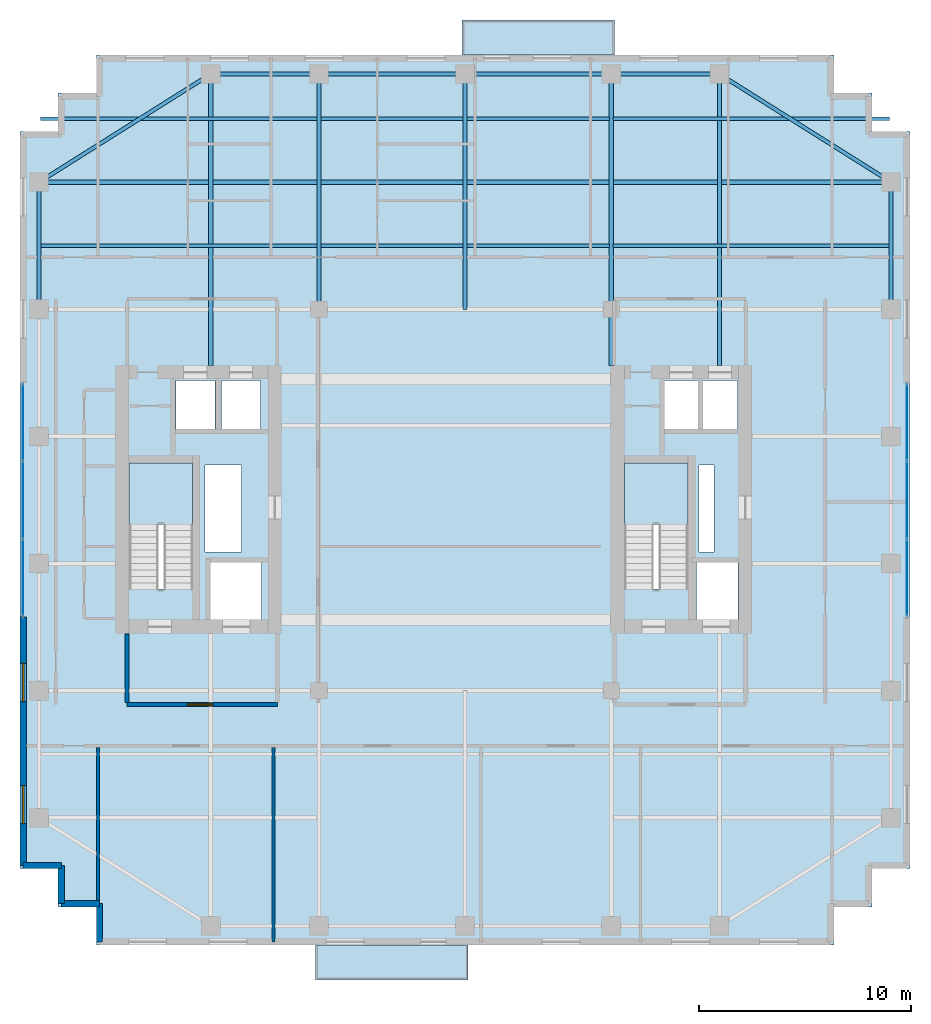
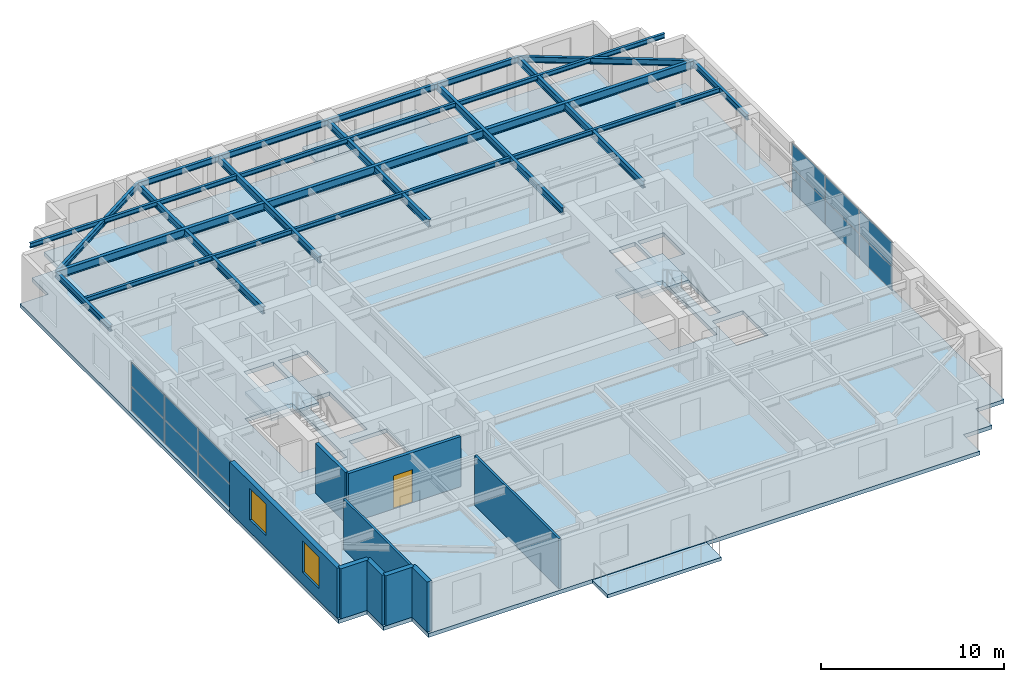
# One storey, part 8 of 14: 22 beams, 12 plates, 9 walls, 5 slabs, 2 windows, 1 door, 3 openings, 4 elements without a shape of their own.
"""IFC4 building model written with IfcOpenShell, lengths in metres."""

import ifcopenshell
import ifcopenshell.guid

model = None  # the IFC model being written
_history = None  # IfcOwnerHistory: only IFC2X3 demands one
_inside = {}  # id of a spatial element -> (the spatial element, [elements in it])
_under = {}  # id of a project, library or spatial element -> (it, [spatial elements below it])
_declared = {}  # id of a project -> (the project, [libraries it declares])
_typed = {}  # id of a type object -> (the type object, [elements of that type])
_made_of = {}  # id of a material, layer set ... -> (it, [elements and type objects made of it])


def new_model(schema):
    """Start an empty IFC model of exactly this schema.

    Asked for "IFC4X3", IfcOpenShell would pick the latest addendum, in which some entities
    have other attributes; the version numbers below select the first issue.
    IFC2X3 requires an IfcOwnerHistory on every rooted entity: one is made here for all.
    """
    global model, _history
    if schema == "IFC4X3":
        model = ifcopenshell.file(schema_version=(4, 3, 0, 0))
    else:
        model = ifcopenshell.file(schema=schema)
    _inside.clear()
    _under.clear()
    _declared.clear()
    _typed.clear()
    _made_of.clear()
    _history = None
    if model.schema == "IFC2X3":
        org = make("IfcOrganization", Name="unknown")
        user = make(
            "IfcPersonAndOrganization",
            ThePerson=make("IfcPerson", FamilyName="unknown"),
            TheOrganization=org,
        )
        app = make(
            "IfcApplication",
            ApplicationDeveloper=org,
            Version="unknown",
            ApplicationFullName="unknown",
            ApplicationIdentifier="unknown",
        )
        _history = make(
            "IfcOwnerHistory",
            OwningUser=user,
            OwningApplication=app,
            ChangeAction="ADDED",
            CreationDate=0,
        )
    return model


def make(cls, **values):
    """One entity of the class cls with the attributes given. An attribute that is None is left unset."""
    return model.create_entity(
        cls, **{name: value for name, value in values.items() if value is not None}
    )


def rooted(cls, **values):
    """An entity with a GlobalId (a new one), such as an element, a storey or a relation."""
    return make(cls, GlobalId=ifcopenshell.guid.new(), OwnerHistory=_history, **values)


def si_unit(unit_type, name, prefix=None):
    """IfcSIUnit, for example si_unit("LENGTHUNIT", "METRE", prefix="MILLI")."""
    return make("IfcSIUnit", UnitType=unit_type, Prefix=prefix, Name=name)


def assignment(units):
    """IfcUnitAssignment: the units of a project."""
    return None if units is None else make("IfcUnitAssignment", Units=units)


def point(xyz):
    """IfcCartesianPoint."""
    return None if xyz is None else make("IfcCartesianPoint", Coordinates=xyz)


def direction(xyz):
    """IfcDirection."""
    return None if xyz is None else make("IfcDirection", DirectionRatios=xyz)


def frame(location, z_axis=None, x_axis=None):
    """IfcAxis2Placement3D, a coordinate frame: its origin and axes. An axis left out is left unset."""
    return make(
        "IfcAxis2Placement3D",
        Location=point(location),
        Axis=direction(z_axis),
        RefDirection=direction(x_axis),
    )


def frame_2d(location, x_axis=None):
    """IfcAxis2Placement2D, a coordinate frame in the plane: its origin and x axis."""
    return make(
        "IfcAxis2Placement2D", Location=point(location), RefDirection=direction(x_axis)
    )


def origin():
    """The frame at (0, 0, 0) with its axes left unset."""
    return frame((0.0, 0.0, 0.0))


def origin_2d():
    """The frame at (0, 0) in the plane with its x axis left unset."""
    return frame_2d((0.0, 0.0))


def place(relative_to, where):
    """IfcLocalPlacement: puts the frame where relative to a parent placement (None: the world)."""
    return make(
        "IfcLocalPlacement", PlacementRelTo=relative_to, RelativePlacement=where
    )


def context(
    kind, dimensions, precision=None, world=None, true_north=None, identifier=None
):
    """IfcGeometricRepresentationContext, for example the 3D "Model" context."""
    return make(
        "IfcGeometricRepresentationContext",
        ContextIdentifier=identifier,
        ContextType=kind,
        CoordinateSpaceDimension=dimensions,
        Precision=precision,
        WorldCoordinateSystem=world,
        TrueNorth=true_north,
    )


def subcontext(parent, identifier, kind, view, scale=None):
    """IfcGeometricRepresentationSubContext, for example "Body" below "Model"."""
    return make(
        "IfcGeometricRepresentationSubContext",
        ContextIdentifier=identifier,
        ContextType=kind,
        ParentContext=parent,
        TargetScale=scale,
        TargetView=view,
    )


def project(units=None, contexts=None):
    """IfcProject with its units and contexts."""
    return rooted(
        "IfcProject",
        Name="project",
        RepresentationContexts=contexts,
        UnitsInContext=assignment(units),
    )


def spatial(cls, under=None, at=None, **own):
    """A site, building, storey or space (cls), placed at a placement, below another one or the project."""
    s = rooted(cls, ObjectPlacement=at, **own)
    if under is not None:
        _under.setdefault(under.id(), (under, []))[1].append(s)
    return s


def polyline(points):
    """IfcPolyline through the points."""
    return make("IfcPolyline", Points=[point(p) for p in points])


def profile(cls, at=None, kind="AREA", **sizes):
    """A parametric profile (cls). Its sizes go by their IFC names, for example OverallWidth=200.0."""
    return make(cls, ProfileType=kind, Position=at, **sizes)


def rectangle(**sizes):
    """IfcRectangleProfileDef."""
    return profile("IfcRectangleProfileDef", **sizes)


def i_section(**sizes):
    """IfcIShapeProfileDef."""
    return profile("IfcIShapeProfileDef", **sizes)


def outline(outer, holes=None, kind="AREA"):
    """IfcArbitraryClosedProfileDef: a profile drawn as a closed curve; with holes, ...WithVoids."""
    if holes is None:
        return make("IfcArbitraryClosedProfileDef", ProfileType=kind, OuterCurve=outer)
    return make(
        "IfcArbitraryProfileDefWithVoids",
        ProfileType=kind,
        OuterCurve=outer,
        InnerCurves=holes,
    )


def extrude(swept, where, along, depth):
    """IfcExtrudedAreaSolid: the profile swept, set in the frame where, extruded along a direction by depth."""
    return make(
        "IfcExtrudedAreaSolid",
        SweptArea=swept,
        Position=where,
        ExtrudedDirection=direction(along),
        Depth=depth,
    )


def shape(context_of_items, identifier, shape_type, items):
    """IfcShapeRepresentation: the items that make up one representation, for example the "Body"."""
    return make(
        "IfcShapeRepresentation",
        ContextOfItems=context_of_items,
        RepresentationIdentifier=identifier,
        RepresentationType=shape_type,
        Items=items,
    )


def source(mapping_origin, context_of_items, identifier, shape_type, items):
    """IfcRepresentationMap: a shape defined once, which mapped items show again and again."""
    return make(
        "IfcRepresentationMap",
        MappingOrigin=mapping_origin,
        MappedRepresentation=shape(context_of_items, identifier, shape_type, items),
    )


def transform(
    local_origin,
    x_axis=None,
    y_axis=None,
    z_axis=None,
    scale=None,
    scale2=None,
    scale3=None,
    uniform=True,
):
    """IfcCartesianTransformationOperator3D, or its non-uniform kind. x_axis, y_axis, z_axis: its Axis1, 2, 3."""
    if uniform:
        return make(
            "IfcCartesianTransformationOperator3D",
            Axis1=direction(x_axis),
            Axis2=direction(y_axis),
            LocalOrigin=point(local_origin),
            Scale=scale,
            Axis3=direction(z_axis),
        )
    return make(
        "IfcCartesianTransformationOperator3DnonUniform",
        Axis1=direction(x_axis),
        Axis2=direction(y_axis),
        LocalOrigin=point(local_origin),
        Scale=scale,
        Axis3=direction(z_axis),
        Scale2=scale2,
        Scale3=scale3,
    )


def mapped(mapping_source, mapping_target):
    """IfcMappedItem: shows the shape of a source again, moved by a transform."""
    return make(
        "IfcMappedItem", MappingSource=mapping_source, MappingTarget=mapping_target
    )


def material(Name=None, Category=None):
    """IfcMaterial."""
    return make("IfcMaterial", Name=Name, Category=Category)


def layer(
    of_material, thickness, ventilated=None, Name=None, Category=None, Priority=None
):
    """IfcMaterialLayer: one layer of a wall or slab, of a material (None: an air gap)."""
    return make(
        "IfcMaterialLayer",
        Material=of_material,
        LayerThickness=thickness,
        IsVentilated=ventilated,
        Name=Name,
        Category=Category,
        Priority=Priority,
    )


def layer_set(layers, Name=None):
    """IfcMaterialLayerSet."""
    return make("IfcMaterialLayerSet", MaterialLayers=layers, LayerSetName=Name)


def material_profile(
    of_material, cross_section, Name=None, Category=None, Priority=None
):
    """IfcMaterialProfile: a cross section and its material."""
    return make(
        "IfcMaterialProfile",
        Name=Name,
        Material=of_material,
        Profile=cross_section,
        Priority=Priority,
        Category=Category,
    )


def profile_set(profiles, Name=None, composite=None):
    """IfcMaterialProfileSet."""
    return make(
        "IfcMaterialProfileSet",
        Name=Name,
        MaterialProfiles=profiles,
        CompositeProfile=composite,
    )


def made_of(thing, what):
    """Note that an element or type object is made of a material, layer set ...; save() writes the relation."""
    if what is not None:
        _made_of.setdefault(what.id(), (what, []))[1].append(thing)
    return thing


def type_object(cls, material=None, **own):
    """A type object (cls), such as IfcWallType, which elements share."""
    return made_of(rooted(cls, **own), material)


def element(
    cls,
    number,
    at=None,
    inside=None,
    cuts=None,
    type_object=None,
    material=None,
    context=None,
    identifier="Body",
    shape_type=None,
    held_by="IfcProductDefinitionShape",
    body=None,
    shapes=None,
    **own,
):
    """One element of the class cls, such as IfcWall. Its Tag is "e" and its number.

    at: its placement. inside: the storey or other place that contains it. cuts: it is an
    opening in that element (IfcRelVoidsElement). A single representation is given by context,
    identifier, shape_type and body (its items); several are given by shapes. held_by: the class
    of the entity that holds the representations. save() writes the other relations.
    """
    e = rooted(cls, Tag="e%d" % number, ObjectPlacement=at, **own)
    if body is not None:
        shapes = [shape(context, identifier, shape_type, body)]
    if shapes is not None:
        e.Representation = make(held_by, Representations=shapes)
    if inside is not None:
        _inside.setdefault(inside.id(), (inside, []))[1].append(e)
    if cuts is not None:
        rooted(
            "IfcRelVoidsElement", RelatingBuildingElement=cuts, RelatedOpeningElement=e
        )
    if type_object is not None:
        _typed.setdefault(type_object.id(), (type_object, []))[1].append(e)
    return made_of(e, material)


def fill(opening, filler):
    """IfcRelFillsElement: the door or window that sits in an opening."""
    return rooted(
        "IfcRelFillsElement",
        RelatingOpeningElement=opening,
        RelatedBuildingElement=filler,
    )


def aggregate(whole, parts):
    """IfcRelAggregates: a whole, such as a stair, and the parts it consists of."""
    return rooted("IfcRelAggregates", RelatingObject=whole, RelatedObjects=parts)


def save(model, path):
    """Write the relations noted so far, then the file.

    IfcRelAggregates (storeys below a building ...), IfcRelContainedInSpatialStructure (elements
    in a storey), IfcRelDefinesByType, IfcRelAssociatesMaterial and IfcRelDeclares: one each for
    every whole, place, type object, material and project.
    """
    for whole, parts in _under.values():
        aggregate(whole, parts)
    for where, things in _inside.values():
        rooted(
            "IfcRelContainedInSpatialStructure",
            RelatedElements=things,
            RelatingStructure=where,
        )
    for kind, things in _typed.values():
        rooted("IfcRelDefinesByType", RelatedObjects=things, RelatingType=kind)
    for what, things in _made_of.values():
        rooted("IfcRelAssociatesMaterial", RelatedObjects=things, RelatingMaterial=what)
    for by, libraries in _declared.values():
        rooted("IfcRelDeclares", RelatingContext=by, RelatedDefinitions=libraries)
    model.write(path)


model = new_model("IFC4")

# Units and contexts
model_context = context("Model", 3, precision=1e-05, world=origin(), true_north=direction((0.0, 1.0)))
body_context = subcontext(model_context, "Body", "Model", "MODEL_VIEW")
ifc_project = project(units=[si_unit("LENGTHUNIT", "METRE"), si_unit("AREAUNIT", "SQUARE_METRE"), si_unit("VOLUMEUNIT", "CUBIC_METRE"), si_unit("PLANEANGLEUNIT", "RADIAN"), si_unit("MASSUNIT", "GRAM", prefix="KILO")], contexts=[model_context])

# Site, building, storey
site_placement = place(None, origin())
site = spatial("IfcSite", under=ifc_project, at=site_placement, CompositionType="ELEMENT")
building_placement = place(site_placement, origin())
building = spatial("IfcBuilding", under=site, at=building_placement, Name="Khoralis Quay Care Tower", CompositionType="ELEMENT")
storey_placement = place(building_placement, frame((0.0, 0.0, 177.300048828125)))
storey = spatial("IfcBuildingStorey", under=building, at=storey_placement, Name="L46", CompositionType="ELEMENT", Elevation=177.300048828125)

# Beams
ifc_material_1 = material(Name="Steel S355", Category="steel")
ifc_material_profile_1 = material_profile(ifc_material_1, i_section(OverallWidth=0.179931640625, OverallDepth=0.39990234375, WebThickness=0.008544921875, FlangeThickness=0.013427734375, FilletRadius=0.02099609375, at=origin_2d()), Name="Steel S355")
ifc_profile_set_1 = profile_set([ifc_material_profile_1], Name="Steel S355")
beam_type_1 = type_object("IfcBeamType", Name="BM-IPE400", PredefinedType="SPANDREL", material=ifc_profile_set_1)
shared_shape_1 = source(origin(), body_context, "Body", "SweptSolid", [
    extrude(i_section(OverallWidth=0.179931640625, OverallDepth=0.39990234375, WebThickness=0.008544921875, FlangeThickness=0.013427734375, FilletRadius=0.02099609375, at=origin_2d()), origin(), (0.0, 0.0, 1.0), 6.0),
])
for number, where, z_axis, x_axis, name in (
    (1, (3.89990234375, 30.0, 3.139892578125), (0.0, 1.0, 0.0), (-1.0, 0.0, 0.0), "BM-TSP-L46-13"),
    (2, (44.10009765625, 30.0, 3.139892578125), (0.0, 1.0, 0.0), (-1.0, 0.0, 0.0), "BM-TSP-L46-18"),
):
    element("IfcBeam", number, at=place(storey_placement, frame(where, z_axis=z_axis, x_axis=x_axis)), inside=storey, type_object=beam_type_1, Name=name, PredefinedType="SPANDREL", context=body_context, shape_type="MappedRepresentation", body=[
        mapped(shared_shape_1, transform((0.0, 0.0, 0.0), scale=1.0)),
    ])
shared_shape_2 = source(origin(), body_context, "Body", "SweptSolid", [
    extrude(i_section(OverallWidth=0.179931640625, OverallDepth=0.39990234375, WebThickness=0.008544921875, FlangeThickness=0.013427734375, FilletRadius=0.02099609375, at=origin_2d()), origin(), (0.0, 0.0, 1.0), 5.10009765625),
])
for number, where, z_axis, x_axis, name in (
    (3, (12.0, 41.10009765625, 3.139892578125), (1.0, 0.0, 0.0), (0.0, 1.0, 0.0), "BM-TSP-L46-05"),
    (4, (30.89990234375, 41.10009765625, 3.139892578125), (1.0, 0.0, 0.0), (0.0, 1.0, 0.0), "BM-TSP-L46-08"),
):
    element("IfcBeam", number, at=place(storey_placement, frame(where, z_axis=z_axis, x_axis=x_axis)), inside=storey, type_object=beam_type_1, Name=name, PredefinedType="SPANDREL", context=body_context, shape_type="MappedRepresentation", body=[
        mapped(shared_shape_2, transform((0.0, 0.0, 0.0), scale=1.0)),
    ])
shared_shape_3 = source(origin(), body_context, "Body", "SweptSolid", [
    extrude(i_section(OverallWidth=0.179931640625, OverallDepth=0.39990234375, WebThickness=0.008544921875, FlangeThickness=0.013427734375, FilletRadius=0.02099609375, at=origin_2d()), origin(), (0.0, 0.0, 1.0), 6.89990234375),
])
for number, where, z_axis, x_axis, name in (
    (5, (17.10009765625, 41.10009765625, 3.139892578125), (1.0, 0.0, 0.0), (0.0, 1.0, 0.0), "BM-TSP-L46-06"),
    (6, (24.0, 41.10009765625, 3.139892578125), (1.0, 0.0, 0.0), (0.0, 1.0, 0.0), "BM-TSP-L46-07"),
):
    element("IfcBeam", number, at=place(storey_placement, frame(where, z_axis=z_axis, x_axis=x_axis)), inside=storey, type_object=beam_type_1, Name=name, PredefinedType="SPANDREL", context=body_context, shape_type="MappedRepresentation", body=[
        mapped(shared_shape_3, transform((0.0, 0.0, 0.0), scale=1.0)),
    ])
shared_shape_4 = source(origin(), body_context, "Body", "SweptSolid", [
    extrude(i_section(OverallWidth=0.179931640625, OverallDepth=0.39990234375, WebThickness=0.008544921875, FlangeThickness=0.013427734375, FilletRadius=0.02099609375, at=origin_2d()), origin(), (0.0, 0.0, 1.0), 9.572021484375),
])
for number, where, z_axis, x_axis, name in (
    (7, (12.0, 41.10009765625, 3.139892578125), (-0.846231136359, -0.532815975602, 0.0), (0.532815975602, -0.846231136359, 0.0), "BM-TCR-L46-21"),
    (8, (36.0, 41.10009765625, 3.139892578125), (0.846231136359, -0.532815975602, 0.0), (0.532815975602, 0.846231136359, 0.0), "BM-TCR-L46-22"),
):
    element("IfcBeam", number, at=place(storey_placement, frame(where, z_axis=z_axis, x_axis=x_axis)), inside=storey, type_object=beam_type_1, Name=name, PredefinedType="SPANDREL", context=body_context, shape_type="MappedRepresentation", body=[
        mapped(shared_shape_4, transform((0.0, 0.0, 0.0), scale=1.0)),
    ])
ifc_material_profile_2 = material_profile(ifc_material_1, i_section(OverallWidth=0.208984375, OverallDepth=0.532958984375, WebThickness=0.01025390625, FlangeThickness=0.015625, FilletRadius=0.01611328125, at=origin_2d()), Name="Steel S355")
ifc_profile_set_2 = profile_set([ifc_material_profile_2], Name="Steel S355")
beam_type_2 = type_object("IfcBeamType", Name="BM-W530X92", PredefinedType="BEAM", material=ifc_profile_set_2)
shared_shape_5 = source(origin(), body_context, "Body", "SweptSolid", [
    extrude(i_section(OverallWidth=0.208984375, OverallDepth=0.532958984375, WebThickness=0.01025390625, FlangeThickness=0.015625, FilletRadius=0.01611328125, at=origin_2d()), origin(), (0.0, 0.0, 1.0), 13.1162109375),
])
for number, where, z_axis, x_axis, name in (
    (9, (3.89990234375, 36.0, 3.073486328125), (1.0, 0.0, 0.0), (0.0, 1.0, 0.0), "BM-TGXW-L46-360"),
    (10, (30.98388671875, 36.0, 3.073486328125), (1.0, 0.0, 0.0), (0.0, 1.0, 0.0), "BM-TGXE-L46-360"),
):
    element("IfcBeam", number, at=place(storey_placement, frame(where, z_axis=z_axis, x_axis=x_axis)), inside=storey, type_object=beam_type_2, Name=name, PredefinedType="BEAM", context=body_context, shape_type="MappedRepresentation", body=[
        mapped(shared_shape_5, transform((0.0, 0.0, 0.0), scale=1.0)),
    ])
shared_shape_6 = source(origin(), body_context, "Body", "SweptSolid", [
    extrude(i_section(OverallWidth=0.208984375, OverallDepth=0.532958984375, WebThickness=0.01025390625, FlangeThickness=0.015625, FilletRadius=0.01611328125, at=origin_2d()), origin(), (0.0, 0.0, 1.0), 13.6318359375),
])
beam_placement = place(storey_placement, frame((17.18408203125, 36.0, 3.073486328125), z_axis=(1.0, 0.0, 0.0), x_axis=(0.0, 1.0, 0.0)))
element("IfcBeam", 11, at=beam_placement, inside=storey, type_object=beam_type_2, Name="BM-TGCC-L46-360", PredefinedType="BEAM", context=body_context, shape_type="MappedRepresentation", body=[
    mapped(shared_shape_6, transform((0.0, 0.0, 0.0), scale=1.0)),
])
ifc_material_profile_3 = material_profile(ifc_material_1, i_section(OverallWidth=0.19189453125, OverallDepth=0.462890625, WebThickness=0.010498046875, FlangeThickness=0.017578125, FilletRadius=0.014892578125, at=origin_2d()), Name="Steel S355")
ifc_profile_set_3 = profile_set([ifc_material_profile_3], Name="Steel S355")
beam_type_3 = type_object("IfcBeamType", Name="BM-W460X89", PredefinedType="BEAM", material=ifc_profile_set_3)
shared_shape_7 = source(origin(), body_context, "Body", "SweptSolid", [
    extrude(i_section(OverallWidth=0.19189453125, OverallDepth=0.462890625, WebThickness=0.010498046875, FlangeThickness=0.017578125, FilletRadius=0.014892578125, at=origin_2d()), origin(), (0.0, 0.0, 1.0), 11.10009765625),
])
for number, where, z_axis, x_axis, name in (
    (12, (17.10009765625, 30.0, 3.1083984375), (0.0, 1.0, 0.0), (-1.0, 0.0, 0.0), "BM-TGYN-L46-171"),
    (13, (24.0, 30.0, 3.1083984375), (0.0, 1.0, 0.0), (-1.0, 0.0, 0.0), "BM-TGYN-L46-240"),
):
    element("IfcBeam", number, at=place(storey_placement, frame(where, z_axis=z_axis, x_axis=x_axis)), inside=storey, type_object=beam_type_3, Name=name, PredefinedType="BEAM", context=body_context, shape_type="MappedRepresentation", body=[
        mapped(shared_shape_7, transform((0.0, 0.0, 0.0), scale=1.0)),
    ])
shared_shape_8 = source(origin(), body_context, "Body", "SweptSolid", [
    extrude(i_section(OverallWidth=0.19189453125, OverallDepth=0.462890625, WebThickness=0.010498046875, FlangeThickness=0.017578125, FilletRadius=0.014892578125, at=origin_2d()), origin(), (0.0, 0.0, 1.0), 13.752197265625),
])
for number, where, z_axis, x_axis, name in (
    (14, (12.0, 27.347900390625, 3.1083984375), (0.0, 1.0, 0.0), (-1.0, 0.0, 0.0), "BM-TGYN-L46-120"),
    (15, (30.89990234375, 27.347900390625, 3.1083984375), (0.0, 1.0, 0.0), (-1.0, 0.0, 0.0), "BM-TGYN-L46-309"),
    (16, (36.0, 27.347900390625, 3.1083984375), (0.0, 1.0, 0.0), (-1.0, 0.0, 0.0), "BM-TGYN-L46-360"),
):
    element("IfcBeam", number, at=place(storey_placement, frame(where, z_axis=z_axis, x_axis=x_axis)), inside=storey, type_object=beam_type_3, Name=name, PredefinedType="BEAM", context=body_context, shape_type="MappedRepresentation", body=[
        mapped(shared_shape_8, transform((0.0, 0.0, 0.0), scale=1.0)),
    ])
ifc_material_profile_4 = material_profile(ifc_material_1, i_section(OverallWidth=0.1650390625, OverallDepth=0.31005859375, WebThickness=0.005859375, FlangeThickness=0.009765625, FilletRadius=0.011962890625, at=origin_2d()), Name="Steel S355")
ifc_profile_set_4 = profile_set([ifc_material_profile_4], Name="Steel S355")
beam_type_4 = type_object("IfcBeamType", Name="BM-W310X39", PredefinedType="JOIST", material=ifc_profile_set_4)
shared_shape_9 = source(origin(), body_context, "Body", "SweptSolid", [
    extrude(i_section(OverallWidth=0.1650390625, OverallDepth=0.31005859375, WebThickness=0.005859375, FlangeThickness=0.009765625, FilletRadius=0.011962890625, at=origin_2d()), origin(), (0.0, 0.0, 1.0), 13.0400390625),
])
for number, where, z_axis, x_axis, name in (
    (17, (3.97607421875, 33.0, 3.18505859375), (1.0, 0.0, 0.0), (0.0, 1.0, 0.0), "BM-TJS-L46-26"),
    (18, (30.98388671875, 33.0, 3.18505859375), (1.0, 0.0, 0.0), (0.0, 1.0, 0.0), "BM-TJS-L46-27"),
    (19, (3.97607421875, 39.0, 3.18505859375), (1.0, 0.0, 0.0), (0.0, 1.0, 0.0), "BM-TJS-L46-29"),
    (20, (30.98388671875, 39.0, 3.18505859375), (1.0, 0.0, 0.0), (0.0, 1.0, 0.0), "BM-TJS-L46-30"),
):
    element("IfcBeam", number, at=place(storey_placement, frame(where, z_axis=z_axis, x_axis=x_axis)), inside=storey, type_object=beam_type_4, Name=name, PredefinedType="JOIST", context=body_context, shape_type="MappedRepresentation", body=[
        mapped(shared_shape_9, transform((0.0, 0.0, 0.0), scale=1.0)),
    ])
shared_shape_10 = source(origin(), body_context, "Body", "SweptSolid", [
    extrude(i_section(OverallWidth=0.1650390625, OverallDepth=0.31005859375, WebThickness=0.005859375, FlangeThickness=0.009765625, FilletRadius=0.011962890625, at=origin_2d()), origin(), (0.0, 0.0, 1.0), 13.6318359375),
])
for number, where, z_axis, x_axis, name in (
    (21, (17.18408203125, 33.0, 3.18505859375), (1.0, 0.0, 0.0), (0.0, 1.0, 0.0), "BM-TJS-L46-28"),
    (22, (17.18408203125, 39.0, 3.18505859375), (1.0, 0.0, 0.0), (0.0, 1.0, 0.0), "BM-TJS-L46-31"),
):
    element("IfcBeam", number, at=place(storey_placement, frame(where, z_axis=z_axis, x_axis=x_axis)), inside=storey, type_object=beam_type_4, Name=name, PredefinedType="JOIST", context=body_context, shape_type="MappedRepresentation", body=[
        mapped(shared_shape_10, transform((0.0, 0.0, 0.0), scale=1.0)),
    ])

# Slabs
ifc_material_2 = material(Name="Concrete C45/55", Category="concrete")
ifc_layer_1 = layer(ifc_material_2, 0.219970703125)
ifc_layer_set_1 = layer_set([ifc_layer_1], Name="Concrete C45/55")
slab_type_1 = type_object("IfcSlabType", Name="SLB-EXT-BALC-220", PredefinedType="FLOOR", material=ifc_layer_set_1)
slab_1_placement = place(storey_placement, frame((0.0, 0.0, -0.260009765625)))
element("IfcSlab", 23, at=slab_1_placement, inside=storey, type_object=slab_type_1, Name="L46 Senior Loggia Balcony Slab P1E0", PredefinedType="FLOOR", context=body_context, shape_type="SweptSolid", body=[
    extrude(outline(polyline([(16.949951171875, -1.64990234375), (24.14990234375, -1.64990234375), (24.14990234375, 0.0), (16.949951171875, 0.0), (16.949951171875, -1.64990234375)])), origin(), (0.0, 0.0, 1.0), 0.219970703125),
])
slab_2_placement = place(storey_placement, frame((0.0, 0.0, -0.260009765625)))
element("IfcSlab", 24, at=slab_2_placement, inside=storey, type_object=slab_type_1, Name="L46 Senior Loggia Balcony Slab P1E10", PredefinedType="FLOOR", context=body_context, shape_type="SweptSolid", body=[
    extrude(outline(polyline([(23.85009765625, 42.0), (31.050048828125, 42.0), (31.050048828125, 43.64990234375), (23.85009765625, 43.64990234375), (23.85009765625, 42.0)])), origin(), (0.0, 0.0, 1.0), 0.219970703125),
])

# Stair, slab
ifc_material_3 = material(Name="Precast concrete C45/55", Category="concrete")
stair_type = type_object("IfcStairType", Name="ST-TWR-DOGLEG-1400", PredefinedType="HALF_TURN_STAIR", material=ifc_material_3)
stair_1_placement = place(storey_placement, origin())
stair_1 = element("IfcStair", 25, at=stair_1_placement, inside=storey, type_object=stair_type, Name="L46 West Core Exit Stair ST-T1", PredefinedType="HALF_TURN_STAIR")
ifc_layer_2 = layer(ifc_material_3, 0.199951171875)
ifc_layer_set_2 = layer_set([ifc_layer_2], Name="Precast concrete C45/55")
slab_type_2 = type_object("IfcSlabType", Name="SLB-LANDING-200", PredefinedType="LANDING", material=ifc_layer_set_2)
slab_3_placement = place(storey_placement, frame((0.0, 0.0, 1.599853515625)))
slab_3 = element("IfcSlab", 26, at=slab_3_placement, type_object=slab_type_2, Name="ST-T1 landing 1", PredefinedType="LANDING", context=body_context, shape_type="SweptSolid", body=[
    extrude(outline(polyline([(11.14990234375, 19.840087890625), (11.14990234375, 22.75), (8.14990234375, 22.75), (8.14990234375, 19.840087890625), (11.14990234375, 19.840087890625)])), origin(), (0.0, 0.0, 1.0), 0.2001953125),
])
aggregate(stair_1, [slab_3])

stair_2_placement = place(storey_placement, origin())
stair_2 = element("IfcStair", 27, at=stair_2_placement, inside=storey, type_object=stair_type, Name="L46 East Core Exit Stair ST-T2", PredefinedType="HALF_TURN_STAIR")
slab_4_placement = place(storey_placement, frame((0.0, 0.0, 1.599853515625)))
slab_4 = element("IfcSlab", 28, at=slab_4_placement, type_object=slab_type_2, Name="ST-T2 landing 1", PredefinedType="LANDING", context=body_context, shape_type="SweptSolid", body=[
    extrude(outline(polyline([(34.52001953125, 19.840087890625), (34.52001953125, 22.75), (31.52001953125, 22.75), (31.52001953125, 19.840087890625), (34.52001953125, 19.840087890625)])), origin(), (0.0, 0.0, 1.0), 0.2001953125),
])
aggregate(stair_2, [slab_4])

# Slab
ifc_material_4 = material(Name="Concrete C40/50", Category="concrete")
ifc_layer_3 = layer(ifc_material_4, 0.260009765625)
ifc_layer_set_3 = layer_set([ifc_layer_3], Name="Concrete C40/50")
slab_type_3 = type_object("IfcSlabType", Name="SLB-TWR-260", PredefinedType="FLOOR", material=ifc_layer_set_3)
slab_5_placement = place(storey_placement, frame((0.0, 0.0, -0.260009765625)))
element("IfcSlab", 29, at=slab_5_placement, inside=storey, type_object=slab_type_3, Name="Tower Floor Slab L46", PredefinedType="FLOOR", context=body_context, shape_type="SweptSolid", body=[
    extrude(outline(polyline([(6.60009765625, 0.0), (41.39990234375, 0.0), (41.39990234375, 1.800048828125), (43.199951171875, 1.800048828125), (43.199951171875, 3.60009765625), (45.0, 3.60009765625), (45.0, 38.39990234375), (43.199951171875, 38.39990234375), (43.199951171875, 40.199951171875), (41.39990234375, 40.199951171875), (41.39990234375, 42.0), (6.60009765625, 42.0), (6.60009765625, 40.199951171875), (4.800048828125, 40.199951171875), (4.800048828125, 38.39990234375), (3.0, 38.39990234375), (3.0, 3.60009765625), (4.800048828125, 3.60009765625), (4.800048828125, 1.800048828125), (6.60009765625, 1.800048828125), (6.60009765625, 0.0)]), holes=[polyline([(11.14990234375, 16.800048828125), (11.14990234375, 22.75), (8.14990234375, 22.75), (8.14990234375, 16.800048828125), (11.14990234375, 16.800048828125)]), polyline([(34.52001953125, 16.800048828125), (34.52001953125, 22.75), (31.52001953125, 22.75), (31.52001953125, 16.800048828125), (34.52001953125, 16.800048828125)]), polyline([(12.0, 15.35009765625), (14.39990234375, 15.35009765625), (14.39990234375, 18.050048828125), (12.0, 18.050048828125), (12.0, 15.35009765625)]), polyline([(34.919921875, 15.35009765625), (36.8798828125, 15.35009765625), (36.8798828125, 18.050048828125), (34.919921875, 18.050048828125), (34.919921875, 15.35009765625)]), polyline([(10.35009765625, 24.35009765625), (12.199951171875, 24.35009765625), (12.199951171875, 26.64990234375), (10.35009765625, 26.64990234375), (10.35009765625, 24.35009765625)]), polyline([(33.3798828125, 24.35009765625), (35.030029296875, 24.35009765625), (35.030029296875, 26.64990234375), (33.3798828125, 26.64990234375), (33.3798828125, 24.35009765625)]), polyline([(12.5, 24.35009765625), (14.35009765625, 24.35009765625), (14.35009765625, 26.64990234375), (12.5, 26.64990234375), (12.5, 24.35009765625)]), polyline([(35.199951171875, 24.35009765625), (36.85009765625, 24.35009765625), (36.85009765625, 26.64990234375), (35.199951171875, 26.64990234375), (35.199951171875, 24.35009765625)]), polyline([(11.719970703125, 18.550048828125), (13.449951171875, 18.550048828125), (13.449951171875, 22.64990234375), (11.719970703125, 22.64990234375), (11.719970703125, 18.550048828125)]), polyline([(35.050048828125, 18.550048828125), (35.75, 18.550048828125), (35.75, 22.64990234375), (35.050048828125, 22.64990234375), (35.050048828125, 18.550048828125)])]), origin(), (0.0, 0.0, 1.0), 0.260009765625),
])

# Curtain wall, plates
ifc_material_5 = material(Name="Pale anodised aluminium", Category="aluminium")
ifc_layer_4 = layer(ifc_material_5, 0.159912109375)
ifc_layer_set_4 = layer_set([ifc_layer_4], Name="Pale anodised aluminium")
curtain_wall_type = type_object("IfcCurtainWallType", Name="CW-SYS-Z3", PredefinedType="NOTDEFINED", material=ifc_layer_set_4)
curtain_wall_1_placement = place(storey_placement, origin())
curtain_wall_1 = element("IfcCurtainWall", 30, at=curtain_wall_1_placement, inside=storey, type_object=curtain_wall_type, Name="L46 Unitised Curtain Wall CW-L46-P1-E5", PredefinedType="NOTDEFINED")
ifc_material_6 = material(Name="Low-E solar-control double glazing", Category="glass")
ifc_layer_5 = layer(ifc_material_6, 0.031982421875)
ifc_layer_set_5 = layer_set([ifc_layer_5], Name="Low-E solar-control double glazing")
plate_type = type_object("IfcPlateType", Name="PNL-VIS-32", PredefinedType="CURTAIN_PANEL", material=ifc_layer_set_5)
shared_shape_11 = source(origin(), body_context, "Body", "SweptSolid", [
    extrude(rectangle(XDim=3.590087890625, YDim=0.028076171875, at=origin_2d()), origin(), (0.0, 0.0, 1.0), 1.580078125),
])
plate_1_placement = place(storey_placement, frame((44.85009765625, 17.3349609375, 0.059814453125), z_axis=(0.0, 0.0, 1.0), x_axis=(0.0, 1.0, 0.0)))
plate_1 = element("IfcPlate", 31, at=plate_1_placement, type_object=plate_type, Name="CW3 panel 1.1", PredefinedType="CURTAIN_PANEL", context=body_context, shape_type="MappedRepresentation", body=[
    mapped(shared_shape_11, transform((0.0, 0.0, 0.0), scale=1.0)),
])
plate_2_placement = place(storey_placement, frame((44.85009765625, 17.3349609375, 1.699951171875), z_axis=(0.0, 0.0, 1.0), x_axis=(0.0, 1.0, 0.0)))
plate_2 = element("IfcPlate", 32, at=plate_2_placement, type_object=plate_type, Name="CW3 panel 1.2", PredefinedType="CURTAIN_PANEL", context=body_context, shape_type="MappedRepresentation", body=[
    mapped(shared_shape_11, transform((0.0, 0.0, 0.0), scale=1.0)),
])
plate_3_placement = place(storey_placement, frame((44.85009765625, 24.6650390625, 0.059814453125), z_axis=(0.0, 0.0, 1.0), x_axis=(0.0, 1.0, 0.0)))
plate_3 = element("IfcPlate", 33, at=plate_3_placement, type_object=plate_type, Name="CW3 panel 3.1", PredefinedType="CURTAIN_PANEL", context=body_context, shape_type="MappedRepresentation", body=[
    mapped(shared_shape_11, transform((0.0, 0.0, 0.0), scale=1.0)),
])
plate_4_placement = place(storey_placement, frame((44.85009765625, 24.6650390625, 1.699951171875), z_axis=(0.0, 0.0, 1.0), x_axis=(0.0, 1.0, 0.0)))
plate_4 = element("IfcPlate", 34, at=plate_4_placement, type_object=plate_type, Name="CW3 panel 3.2", PredefinedType="CURTAIN_PANEL", context=body_context, shape_type="MappedRepresentation", body=[
    mapped(shared_shape_11, transform((0.0, 0.0, 0.0), scale=1.0)),
])

curtain_wall_2_placement = place(storey_placement, origin())
curtain_wall_2 = element("IfcCurtainWall", 35, at=curtain_wall_2_placement, inside=storey, type_object=curtain_wall_type, Name="L46 Unitised Curtain Wall CW-L46-P1-E15", PredefinedType="NOTDEFINED")
plate_5_placement = place(storey_placement, frame((3.14990234375, 24.6650390625, 0.059814453125), z_axis=(0.0, 0.0, 1.0), x_axis=(0.0, -1.0, 0.0)))
plate_5 = element("IfcPlate", 36, at=plate_5_placement, type_object=plate_type, Name="CW3 panel 1.1", PredefinedType="CURTAIN_PANEL", context=body_context, shape_type="MappedRepresentation", body=[
    mapped(shared_shape_11, transform((0.0, 0.0, 0.0), scale=1.0)),
])
plate_6_placement = place(storey_placement, frame((3.14990234375, 24.6650390625, 1.699951171875), z_axis=(0.0, 0.0, 1.0), x_axis=(0.0, -1.0, 0.0)))
plate_6 = element("IfcPlate", 37, at=plate_6_placement, type_object=plate_type, Name="CW3 panel 1.2", PredefinedType="CURTAIN_PANEL", context=body_context, shape_type="MappedRepresentation", body=[
    mapped(shared_shape_11, transform((0.0, 0.0, 0.0), scale=1.0)),
])
plate_7_placement = place(storey_placement, frame((3.14990234375, 17.3349609375, 0.059814453125), z_axis=(0.0, 0.0, 1.0), x_axis=(0.0, -1.0, 0.0)))
plate_7 = element("IfcPlate", 38, at=plate_7_placement, type_object=plate_type, Name="CW3 panel 3.1", PredefinedType="CURTAIN_PANEL", context=body_context, shape_type="MappedRepresentation", body=[
    mapped(shared_shape_11, transform((0.0, 0.0, 0.0), scale=1.0)),
])
plate_8_placement = place(storey_placement, frame((3.14990234375, 17.3349609375, 1.699951171875), z_axis=(0.0, 0.0, 1.0), x_axis=(0.0, -1.0, 0.0)))
plate_8 = element("IfcPlate", 39, at=plate_8_placement, type_object=plate_type, Name="CW3 panel 3.2", PredefinedType="CURTAIN_PANEL", context=body_context, shape_type="MappedRepresentation", body=[
    mapped(shared_shape_11, transform((0.0, 0.0, 0.0), scale=1.0)),
])

# Plate
shared_shape_12 = source(origin(), body_context, "Body", "SweptSolid", [
    extrude(rectangle(XDim=3.6201171875, YDim=0.028076171875, at=origin_2d()), origin(), (0.0, 0.0, 1.0), 1.580078125),
])
plate_9_placement = place(storey_placement, frame((44.85009765625, 21.0, 0.059814453125), z_axis=(0.0, 0.0, 1.0), x_axis=(0.0, 1.0, 0.0)))
plate_9 = element("IfcPlate", 40, at=plate_9_placement, type_object=plate_type, Name="CW3 panel 2.1", PredefinedType="CURTAIN_PANEL", context=body_context, shape_type="MappedRepresentation", body=[
    mapped(shared_shape_12, transform((0.0, 0.0, 0.0), scale=1.0)),
])

plate_10_placement = place(storey_placement, frame((44.85009765625, 21.0, 1.699951171875), z_axis=(0.0, 0.0, 1.0), x_axis=(0.0, 1.0, 0.0)))
plate_10 = element("IfcPlate", 41, at=plate_10_placement, type_object=plate_type, Name="CW3 panel 2.2", PredefinedType="CURTAIN_PANEL", context=body_context, shape_type="MappedRepresentation", body=[
    mapped(shared_shape_12, transform((0.0, 0.0, 0.0), scale=1.0)),
])

aggregate(curtain_wall_1, [plate_1, plate_2, plate_9, plate_10, plate_3, plate_4])

plate_11_placement = place(storey_placement, frame((3.14990234375, 21.0, 0.059814453125), z_axis=(0.0, 0.0, 1.0), x_axis=(0.0, -1.0, 0.0)))
plate_11 = element("IfcPlate", 42, at=plate_11_placement, type_object=plate_type, Name="CW3 panel 2.1", PredefinedType="CURTAIN_PANEL", context=body_context, shape_type="MappedRepresentation", body=[
    mapped(shared_shape_12, transform((0.0, 0.0, 0.0), scale=1.0)),
])

plate_12_placement = place(storey_placement, frame((3.14990234375, 21.0, 1.699951171875), z_axis=(0.0, 0.0, 1.0), x_axis=(0.0, -1.0, 0.0)))
plate_12 = element("IfcPlate", 43, at=plate_12_placement, type_object=plate_type, Name="CW3 panel 2.2", PredefinedType="CURTAIN_PANEL", context=body_context, shape_type="MappedRepresentation", body=[
    mapped(shared_shape_12, transform((0.0, 0.0, 0.0), scale=1.0)),
])

aggregate(curtain_wall_2, [plate_5, plate_6, plate_11, plate_12, plate_7, plate_8])

# Wall, opening, door
ifc_material_7 = material(Name="Gypsum plasterboard on acoustic metal stud")
ifc_layer_6 = layer(ifc_material_7, 0.199951171875)
ifc_layer_set_6 = layer_set([ifc_layer_6], Name="Gypsum plasterboard on acoustic metal stud")
wall_type_1 = type_object("IfcWallType", Name="WL-COMP-200", PredefinedType="PARTITIONING", material=ifc_layer_set_6)
wall_1_placement = place(storey_placement, frame((8.050048828125, 11.35009765625, 0.0), z_axis=(0.0, 0.0, 1.0), x_axis=(1.0, 0.0, 0.0)))
wall_1 = element("IfcWall", 44, at=wall_1_placement, inside=storey, type_object=wall_type_1, Name="L46 West Firefighting Lobby South Wall", PredefinedType="PARTITIONING", context=body_context, shape_type="SweptSolid", body=[
    extrude(rectangle(XDim=7.099853515625, YDim=0.199951171875, at=frame_2d((3.5498046875, 0.0))), origin(), (0.0, 0.0, 1.0), 3.33984375),
])
opening_1_placement = place(wall_1_placement, frame((2.846435546875, 0.0, 0.0)))
opening_1 = element("IfcOpeningElement", 45, at=opening_1_placement, cuts=wall_1, Name="Opening FD1", PredefinedType="OPENING", context=body_context, shape_type="SweptSolid", body=[
    extrude(rectangle(XDim=1.199951171875, YDim=2.199951171875, at=frame_2d((0.60009765625, 1.10009765625))), frame((0.0, 0.10986328125, 0.0), z_axis=(0.0, -1.0, 0.0), x_axis=(1.0, 0.0, 0.0)), (0.0, 0.0, 1.0), 0.219970703125),
])
ifc_material_8 = material(Name="Fire-rated painted steel", Category="steel")
door_type = type_object("IfcDoorType", Name="DR-FFL-1200X2200", OperationType="NOTDEFINED", PredefinedType="DOOR", material=ifc_material_8)
shared_shape_13 = source(origin(), body_context, "Body", "SweptSolid", [
    extrude(rectangle(XDim=1.199951171875, YDim=2.199951171875, at=frame_2d((0.60009765625, 1.10009765625))), frame((0.0, 0.02490234375, 0.0), z_axis=(0.0, -1.0, 0.0), x_axis=(1.0, 0.0, 0.0)), (0.0, 0.0, 1.0), 0.050048828125),
])
door_placement = place(opening_1_placement, origin())
door = element("IfcDoor", 46, at=door_placement, inside=storey, type_object=door_type, Name="L46 West Firefighting Lobby Fire Door", OperationType="SINGLE_SWING_RIGHT", OverallHeight=2.199951171875, OverallWidth=1.199951171875, PredefinedType="DOOR", context=body_context, shape_type="MappedRepresentation", body=[
    mapped(shared_shape_13, transform((0.0, 0.0, 0.0), scale=1.0)),
])
fill(opening_1, door)

# Wall
wall_2_placement = place(storey_placement, frame((8.050048828125, 11.445068359375, 0.0), z_axis=(0.0, 0.0, 1.0), x_axis=(0.0, 1.0, 0.0)))
element("IfcWall", 47, at=wall_2_placement, inside=storey, type_object=wall_type_1, Name="L46 West Firefighting Lobby West Wall", PredefinedType="PARTITIONING", context=body_context, shape_type="SweptSolid", body=[
    extrude(rectangle(XDim=3.23486328125, YDim=0.199951171875, at=frame_2d((1.617431640625, 0.0))), origin(), (0.0, 0.0, 1.0), 3.33984375),
])

# Wall, openings, windows
ifc_layer_7 = layer(ifc_material_3, 0.300048828125)
ifc_layer_set_7 = layer_set([ifc_layer_7], Name="Precast concrete C45/55")
wall_type_2 = type_object("IfcWallType", Name="WL-EXT-REF-300", PredefinedType="SOLIDWALL", material=ifc_layer_set_7)
wall_3_placement = place(storey_placement, frame((3.14990234375, 15.47998046875, 0.0), z_axis=(0.0, 0.0, 1.0), x_axis=(0.0, -1.0, 0.0)))
wall_3 = element("IfcWall", 48, at=wall_3_placement, inside=storey, type_object=wall_type_2, Name="L46 External Facade Wall WL-EXT-L46-P1-E15B", PredefinedType="SOLIDWALL", context=body_context, shape_type="SweptSolid", body=[
    extrude(rectangle(XDim=11.72998046875, YDim=0.300048828125, at=frame_2d((5.864990234375, 0.0))), origin(), (0.0, 0.0, 1.0), 3.33984375),
])
opening_2_placement = place(wall_3_placement, frame((2.18994140625, 0.0, 0.800048828125)))
opening_2 = element("IfcOpeningElement", 49, at=opening_2_placement, cuts=wall_3, Name="Opening W2", PredefinedType="OPENING", context=body_context, shape_type="SweptSolid", body=[
    extrude(rectangle(XDim=1.800048828125, YDim=2.10009765625, at=frame_2d((0.89990234375, 1.050048828125))), frame((0.0, 0.16015625, 0.0), z_axis=(0.0, -1.0, 0.0), x_axis=(1.0, 0.0, 0.0)), (0.0, 0.0, 1.0), 0.320068359375),
])
opening_3_placement = place(wall_3_placement, frame((7.955078125, 0.0, 0.800048828125)))
opening_3 = element("IfcOpeningElement", 50, at=opening_3_placement, cuts=wall_3, Name="Opening W2", PredefinedType="OPENING", context=body_context, shape_type="SweptSolid", body=[
    extrude(rectangle(XDim=1.800048828125, YDim=2.10009765625, at=frame_2d((0.89990234375, 1.050048828125))), frame((0.0, 0.16015625, 0.0), z_axis=(0.0, -1.0, 0.0), x_axis=(1.0, 0.0, 0.0)), (0.0, 0.0, 1.0), 0.320068359375),
])
window_type = type_object("IfcWindowType", Name="WN-POD-1800X2100", PartitioningType="SINGLE_PANEL", PredefinedType="WINDOW", material=ifc_material_6)
shared_shape_14 = source(origin(), body_context, "Body", "SweptSolid", [
    extrude(rectangle(XDim=1.800048828125, YDim=2.10009765625, at=frame_2d((0.89990234375, 1.050048828125))), frame((0.0, 0.030029296875, 0.0), z_axis=(0.0, -1.0, 0.0), x_axis=(1.0, 0.0, 0.0)), (0.0, 0.0, 1.0), 0.06005859375),
])
window_1_placement = place(opening_2_placement, origin())
window_1 = element("IfcWindow", 51, at=window_1_placement, inside=storey, type_object=window_type, Name="WN-L46-P1-E15B Facade Window 01", OverallHeight=2.10009765625, OverallWidth=1.800048828125, PartitioningType="SINGLE_PANEL", PredefinedType="WINDOW", context=body_context, shape_type="MappedRepresentation", body=[
    mapped(shared_shape_14, transform((0.0, 0.0, 0.0), scale=1.0)),
])
fill(opening_2, window_1)
window_2_placement = place(opening_3_placement, origin())
window_2 = element("IfcWindow", 52, at=window_2_placement, inside=storey, type_object=window_type, Name="WN-L46-P1-E15B Facade Window 02", OverallHeight=2.10009765625, OverallWidth=1.800048828125, PartitioningType="SINGLE_PANEL", PredefinedType="WINDOW", context=body_context, shape_type="MappedRepresentation", body=[
    mapped(shared_shape_14, transform((0.0, 0.0, 0.0), scale=1.0)),
])
fill(opening_3, window_2)

# Walls
for number, where, z_axis, x_axis, name in (
    (53, (3.14990234375, 3.75, 0.0), (0.0, 0.0, 1.0), (1.0, 0.0, 0.0), "L46 External Facade Wall WL-EXT-L46-P1-C16"),
    (54, (4.949951171875, 3.75, 0.0), (0.0, 0.0, 1.0), (0.0, -1.0, 0.0), "L46 External Facade Wall WL-EXT-L46-P1-C17"),
    (55, (4.949951171875, 1.949951171875, 0.0), (0.0, 0.0, 1.0), (1.0, 0.0, 0.0), "L46 External Facade Wall WL-EXT-L46-P1-C18"),
    (56, (6.75, 1.949951171875, 0.0), (0.0, 0.0, 1.0), (0.0, -1.0, 0.0), "L46 External Facade Wall WL-EXT-L46-P1-C19"),
):
    element("IfcWall", number, at=place(storey_placement, frame(where, z_axis=z_axis, x_axis=x_axis)), inside=storey, type_object=wall_type_2, Name=name, PredefinedType="SOLIDWALL", context=body_context, shape_type="SweptSolid", body=[
        extrude(rectangle(XDim=1.800048828125, YDim=0.300048828125, at=frame_2d((0.89990234375, 0.0))), origin(), (0.0, 0.0, 1.0), 3.33984375),
    ])
ifc_layer_8 = layer(ifc_material_7, 0.139892578125)
ifc_layer_set_8 = layer_set([ifc_layer_8], Name="Gypsum plasterboard on acoustic metal stud")
wall_type_3 = type_object("IfcWallType", Name="WL-UNIT-140", PredefinedType="PARTITIONING", material=ifc_layer_set_8)
wall_4_placement = place(storey_placement, frame((6.679931640625, 1.945068359375, 0.0), z_axis=(0.0, 0.0, 1.0), x_axis=(0.0, 1.0, 0.0)))
element("IfcWall", 57, at=wall_4_placement, inside=storey, type_object=wall_type_3, Name="L46 SB Demising Wall 0", PredefinedType="PARTITIONING", context=body_context, shape_type="SweptSolid", body=[
    extrude(rectangle(XDim=7.37744140625, YDim=0.139892578125, at=frame_2d((3.688720703125, 0.0))), origin(), (0.0, 0.0, 1.0), 3.33984375),
])
wall_5_placement = place(storey_placement, frame((14.969970703125, 0.14501953125, 0.0), z_axis=(0.0, 0.0, 1.0), x_axis=(0.0, 1.0, 0.0)))
element("IfcWall", 58, at=wall_5_placement, inside=storey, type_object=wall_type_3, Name="L46 SB Demising Wall 1", PredefinedType="PARTITIONING", context=body_context, shape_type="SweptSolid", body=[
    extrude(rectangle(XDim=9.177490234375, YDim=0.139892578125, at=frame_2d((4.5888671875, 0.0))), origin(), (0.0, 0.0, 1.0), 3.33984375),
])

save(model, "model.ifc")
